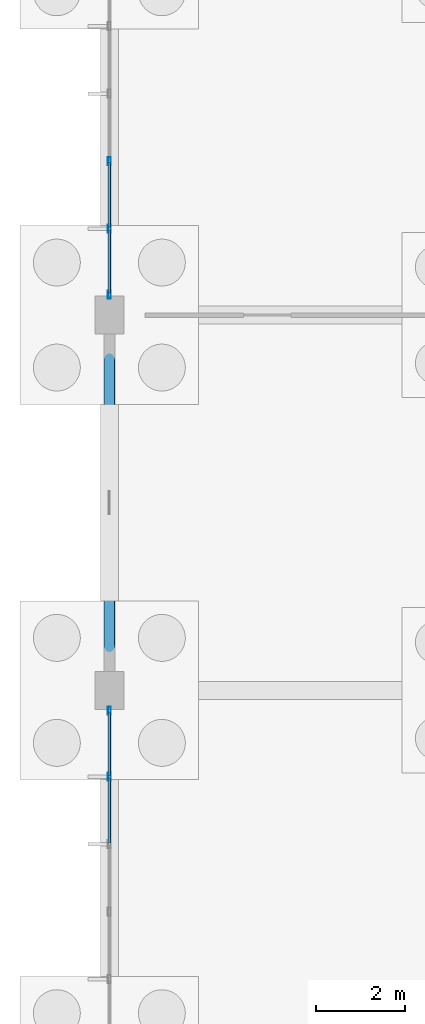
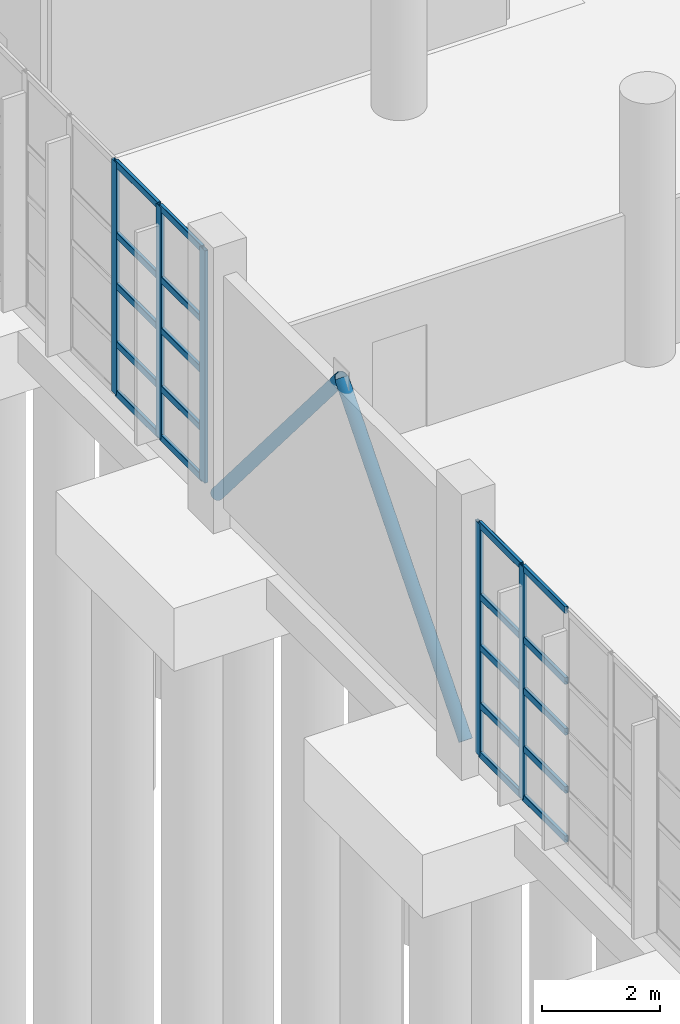
# One storey, part 26 of 83: 27 members, 2 elements without a shape of their own.
"""IFC4 building model written with IfcOpenShell, lengths in metres."""

from ifc_helpers import new_model, si_unit, direction, frame, origin, origin_2d, place, context, subcontext, project, spatial, hollow_rectangle, hollow_circle, extrude, material, layer, layer_set, material_profile, profile_set, type_object, element, aggregate, save


model = new_model("IFC4")

# Units and contexts
model_context = context("Model", 3, precision=1e-05, world=origin(), true_north=direction((0.0, 1.0)))
body_context = subcontext(model_context, "Body", "Model", "MODEL_VIEW")
ifc_project = project(units=[si_unit("LENGTHUNIT", "METRE"), si_unit("AREAUNIT", "SQUARE_METRE"), si_unit("VOLUMEUNIT", "CUBIC_METRE"), si_unit("PLANEANGLEUNIT", "RADIAN"), si_unit("MASSUNIT", "GRAM", prefix="KILO"), si_unit("THERMODYNAMICTEMPERATUREUNIT", "KELVIN"), si_unit("POWERUNIT", "WATT")], contexts=[model_context])

# Site, building, storey
site_placement = place(None, origin())
site = spatial("IfcSite", under=ifc_project, at=site_placement, CompositionType="ELEMENT")
building_placement = place(site_placement, origin())
building = spatial("IfcBuilding", under=site, at=building_placement, Name="Mavoryth Pier Ferry Terminal", CompositionType="ELEMENT")
storey_placement = place(building_placement, origin())
storey = spatial("IfcBuildingStorey", under=building, at=storey_placement, Name="L00", CompositionType="ELEMENT", Elevation=0.0)

# Members
ifc_material_1 = material(Name="Steel S355J2", Category="steel")
ifc_material_profile_1 = material_profile(ifc_material_1, hollow_circle(Radius=0.122314453125, WallThickness=0.012451171875, at=origin_2d()), Name="CHS 244.5x12.5", Category="steel")
ifc_profile_set_1 = profile_set([ifc_material_profile_1], Name="Steel S355J2 - CHS 244.5x12.5")
member_type_1 = type_object("IfcMemberType", Name="Brace-Diag-CHS245", PredefinedType="BRACE", material=ifc_profile_set_1)
for number, where, z_axis, x_axis, name in (
    (1, (0.0, 80.800048828125, 0.0), (0.0, 0.64773803869, 0.761863132875), (-1.0, 0.0, 0.0), "Steel Member MB-L00-0300"),
    (2, (0.0, 89.199951171875, 0.0), (0.0, -0.64773803869, 0.761863132875), (1.0, 0.0, 0.0), "Steel Member MB-L00-0301"),
):
    element("IfcMember", number, at=place(storey_placement, frame(where, z_axis=z_axis, x_axis=x_axis)), inside=storey, type_object=member_type_1, Name=name, PredefinedType="BRACE", context=body_context, shape_type="SweptSolid", body=[
        extrude(hollow_circle(Radius=0.122314453125, WallThickness=0.012451171875, at=origin_2d()), origin(), (0.0, 0.0, 1.0), 6.484130859375),
    ])

# Curtain wall, members
ifc_material_2 = material(Name="Anodised Aluminium and Solar-Control Low-E Glass", Category="aluminium")
ifc_layer = layer(ifc_material_2, 0.179931640625, Name="Anodised Aluminium and Solar-Control Low-E Glass", Category="aluminium")
ifc_layer_set = layer_set([ifc_layer], Name="Anodised Aluminium and Solar-Control Low-E Glass - CW-Concourse-Mod1400")
curtain_wall_type = type_object("IfcCurtainWallType", Name="CW-Concourse-Mod1400", PredefinedType="USERDEFINED", material=ifc_layer_set)
curtain_wall_1_placement = place(storey_placement, origin())
curtain_wall_1 = element("IfcCurtainWall", 3, at=curtain_wall_1_placement, inside=storey, type_object=curtain_wall_type, Name="Curtain Wall CW-0033-017", ObjectType="UNITISED CURTAIN WALL", PredefinedType="USERDEFINED")
ifc_material_3 = material(Name="Anodised Aluminium EN AW-6063", Category="aluminium")
ifc_material_profile_2 = material_profile(ifc_material_3, hollow_rectangle(XDim=0.06494140625, YDim=0.179931640625, WallThickness=0.00390625, InnerFilletRadius=0.00390625, OuterFilletRadius=0.008056640625, at=origin_2d()), Name="AL-MULL 180x65x4", Category="aluminium")
ifc_profile_set_2 = profile_set([ifc_material_profile_2], Name="Anodised Aluminium EN AW-6063 - AL-MULL 180x65x4")
member_type_2 = type_object("IfcMemberType", Name="Mullion-Alum-180x65", PredefinedType="MULLION", material=ifc_profile_set_2)
member_1_placement = place(storey_placement, frame((0.0, 80.342529296875, 0.0), z_axis=(0.0, 0.0, 1.0), x_axis=(1.0, 0.0, 0.0)))
member_1 = element("IfcMember", 4, at=member_1_placement, type_object=member_type_2, Name="CW01 mullion 1", PredefinedType="MULLION", context=body_context, shape_type="SweptSolid", body=[
    extrude(hollow_rectangle(XDim=0.06494140625, YDim=0.179931640625, WallThickness=0.00390625, InnerFilletRadius=0.00390625, OuterFilletRadius=0.008056640625, at=origin_2d()), origin(), (0.0, 0.0, 1.0), 4.794921875),
])
member_2_placement = place(storey_placement, frame((0.0, 78.864990234375, 0.0), z_axis=(0.0, 0.0, 1.0), x_axis=(1.0, 0.0, 0.0)))
member_2 = element("IfcMember", 5, at=member_2_placement, type_object=member_type_2, Name="CW01 mullion 2", PredefinedType="MULLION", context=body_context, shape_type="SweptSolid", body=[
    extrude(hollow_rectangle(XDim=0.06494140625, YDim=0.179931640625, WallThickness=0.00390625, InnerFilletRadius=0.00390625, OuterFilletRadius=0.008056640625, at=origin_2d()), origin(), (0.0, 0.0, 1.0), 4.794921875),
])

curtain_wall_2_placement = place(storey_placement, origin())
curtain_wall_2 = element("IfcCurtainWall", 6, at=curtain_wall_2_placement, inside=storey, type_object=curtain_wall_type, Name="Curtain Wall CW-0033-025", ObjectType="UNITISED CURTAIN WALL", PredefinedType="USERDEFINED")
member_3_placement = place(storey_placement, frame((0.0, 92.64501953125, 0.0), z_axis=(0.0, 0.0, 1.0), x_axis=(1.0, 0.0, 0.0)))
member_3 = element("IfcMember", 7, at=member_3_placement, type_object=member_type_2, Name="CW01 mullion 4", PredefinedType="MULLION", context=body_context, shape_type="SweptSolid", body=[
    extrude(hollow_rectangle(XDim=0.06494140625, YDim=0.179931640625, WallThickness=0.00390625, InnerFilletRadius=0.00390625, OuterFilletRadius=0.008056640625, at=origin_2d()), origin(), (0.0, 0.0, 1.0), 4.794921875),
])
member_4_placement = place(storey_placement, frame((0.0, 91.135009765625, 0.0), z_axis=(0.0, 0.0, 1.0), x_axis=(1.0, 0.0, 0.0)))
member_4 = element("IfcMember", 8, at=member_4_placement, type_object=member_type_2, Name="CW01 mullion 5", PredefinedType="MULLION", context=body_context, shape_type="SweptSolid", body=[
    extrude(hollow_rectangle(XDim=0.06494140625, YDim=0.179931640625, WallThickness=0.00390625, InnerFilletRadius=0.00390625, OuterFilletRadius=0.008056640625, at=origin_2d()), origin(), (0.0, 0.0, 1.0), 4.794921875),
])
member_5_placement = place(storey_placement, frame((0.0, 89.657470703125, 0.0), z_axis=(0.0, 0.0, 1.0), x_axis=(1.0, 0.0, 0.0)))
member_5 = element("IfcMember", 9, at=member_5_placement, type_object=member_type_2, Name="CW01 mullion 6", PredefinedType="MULLION", context=body_context, shape_type="SweptSolid", body=[
    extrude(hollow_rectangle(XDim=0.06494140625, YDim=0.179931640625, WallThickness=0.00390625, InnerFilletRadius=0.00390625, OuterFilletRadius=0.008056640625, at=origin_2d()), origin(), (0.0, 0.0, 1.0), 4.794921875),
])

# Member
ifc_material_profile_3 = material_profile(ifc_material_3, hollow_rectangle(XDim=0.06494140625, YDim=0.139892578125, WallThickness=0.00390625, InnerFilletRadius=0.00390625, OuterFilletRadius=0.008056640625, at=origin_2d()), Name="AL-TRAN 140x65x4", Category="aluminium")
ifc_profile_set_3 = profile_set([ifc_material_profile_3], Name="Anodised Aluminium EN AW-6063 - AL-TRAN 140x65x4")
member_type_3 = type_object("IfcMemberType", Name="Transom-Alum-140x65", PredefinedType="USERDEFINED", material=ifc_profile_set_3)
member_6_placement = place(storey_placement, frame((0.0, 80.31005859375, 0.032470703125), z_axis=(0.0, -1.0, 0.0), x_axis=(1.0, 0.0, 0.0)))
member_6 = element("IfcMember", 10, at=member_6_placement, type_object=member_type_3, Name="CW01 transom 1.1", ObjectType="TRANSOM", PredefinedType="USERDEFINED", context=body_context, shape_type="SweptSolid", body=[
    extrude(hollow_rectangle(XDim=0.06494140625, YDim=0.139892578125, WallThickness=0.00390625, InnerFilletRadius=0.00390625, OuterFilletRadius=0.008056640625, at=origin_2d()), origin(), (0.0, 0.0, 1.0), 1.41259765625),
])

member_7_placement = place(storey_placement, frame((0.0, 80.31005859375, 1.050048828125), z_axis=(0.0, -1.0, 0.0), x_axis=(1.0, 0.0, 0.0)))
member_7 = element("IfcMember", 11, at=member_7_placement, type_object=member_type_3, Name="CW01 transom 1.2", ObjectType="TRANSOM", PredefinedType="USERDEFINED", context=body_context, shape_type="SweptSolid", body=[
    extrude(hollow_rectangle(XDim=0.06494140625, YDim=0.139892578125, WallThickness=0.00390625, InnerFilletRadius=0.00390625, OuterFilletRadius=0.008056640625, at=origin_2d()), origin(), (0.0, 0.0, 1.0), 1.41259765625),
])

member_8_placement = place(storey_placement, frame((0.0, 80.31005859375, 2.25), z_axis=(0.0, -1.0, 0.0), x_axis=(1.0, 0.0, 0.0)))
member_8 = element("IfcMember", 12, at=member_8_placement, type_object=member_type_3, Name="CW01 transom 1.3", ObjectType="TRANSOM", PredefinedType="USERDEFINED", context=body_context, shape_type="SweptSolid", body=[
    extrude(hollow_rectangle(XDim=0.06494140625, YDim=0.139892578125, WallThickness=0.00390625, InnerFilletRadius=0.00390625, OuterFilletRadius=0.008056640625, at=origin_2d()), origin(), (0.0, 0.0, 1.0), 1.41259765625),
])

member_9_placement = place(storey_placement, frame((0.0, 80.31005859375, 3.300048828125), z_axis=(0.0, -1.0, 0.0), x_axis=(1.0, 0.0, 0.0)))
member_9 = element("IfcMember", 13, at=member_9_placement, type_object=member_type_3, Name="CW01 transom 1.4", ObjectType="TRANSOM", PredefinedType="USERDEFINED", context=body_context, shape_type="SweptSolid", body=[
    extrude(hollow_rectangle(XDim=0.06494140625, YDim=0.139892578125, WallThickness=0.00390625, InnerFilletRadius=0.00390625, OuterFilletRadius=0.008056640625, at=origin_2d()), origin(), (0.0, 0.0, 1.0), 1.41259765625),
])

member_10_placement = place(storey_placement, frame((0.0, 80.31005859375, 4.762451171875), z_axis=(0.0, -1.0, 0.0), x_axis=(1.0, 0.0, 0.0)))
member_10 = element("IfcMember", 14, at=member_10_placement, type_object=member_type_3, Name="CW01 transom 1.5", ObjectType="TRANSOM", PredefinedType="USERDEFINED", context=body_context, shape_type="SweptSolid", body=[
    extrude(hollow_rectangle(XDim=0.06494140625, YDim=0.139892578125, WallThickness=0.00390625, InnerFilletRadius=0.00390625, OuterFilletRadius=0.008056640625, at=origin_2d()), origin(), (0.0, 0.0, 1.0), 1.41259765625),
])

member_11_placement = place(storey_placement, frame((0.0, 78.83251953125, 0.032470703125), z_axis=(0.0, -1.0, 0.0), x_axis=(1.0, 0.0, 0.0)))
member_11 = element("IfcMember", 15, at=member_11_placement, type_object=member_type_3, Name="CW01 transom 2.1", ObjectType="TRANSOM", PredefinedType="USERDEFINED", context=body_context, shape_type="SweptSolid", body=[
    extrude(hollow_rectangle(XDim=0.06494140625, YDim=0.139892578125, WallThickness=0.00390625, InnerFilletRadius=0.00390625, OuterFilletRadius=0.008056640625, at=origin_2d()), origin(), (0.0, 0.0, 1.0), 1.445068359375),
])

member_12_placement = place(storey_placement, frame((0.0, 78.83251953125, 1.050048828125), z_axis=(0.0, -1.0, 0.0), x_axis=(1.0, 0.0, 0.0)))
member_12 = element("IfcMember", 16, at=member_12_placement, type_object=member_type_3, Name="CW01 transom 2.2", ObjectType="TRANSOM", PredefinedType="USERDEFINED", context=body_context, shape_type="SweptSolid", body=[
    extrude(hollow_rectangle(XDim=0.06494140625, YDim=0.139892578125, WallThickness=0.00390625, InnerFilletRadius=0.00390625, OuterFilletRadius=0.008056640625, at=origin_2d()), origin(), (0.0, 0.0, 1.0), 1.445068359375),
])

member_13_placement = place(storey_placement, frame((0.0, 78.83251953125, 2.25), z_axis=(0.0, -1.0, 0.0), x_axis=(1.0, 0.0, 0.0)))
member_13 = element("IfcMember", 17, at=member_13_placement, type_object=member_type_3, Name="CW01 transom 2.3", ObjectType="TRANSOM", PredefinedType="USERDEFINED", context=body_context, shape_type="SweptSolid", body=[
    extrude(hollow_rectangle(XDim=0.06494140625, YDim=0.139892578125, WallThickness=0.00390625, InnerFilletRadius=0.00390625, OuterFilletRadius=0.008056640625, at=origin_2d()), origin(), (0.0, 0.0, 1.0), 1.445068359375),
])

member_14_placement = place(storey_placement, frame((0.0, 78.83251953125, 3.300048828125), z_axis=(0.0, -1.0, 0.0), x_axis=(1.0, 0.0, 0.0)))
member_14 = element("IfcMember", 18, at=member_14_placement, type_object=member_type_3, Name="CW01 transom 2.4", ObjectType="TRANSOM", PredefinedType="USERDEFINED", context=body_context, shape_type="SweptSolid", body=[
    extrude(hollow_rectangle(XDim=0.06494140625, YDim=0.139892578125, WallThickness=0.00390625, InnerFilletRadius=0.00390625, OuterFilletRadius=0.008056640625, at=origin_2d()), origin(), (0.0, 0.0, 1.0), 1.445068359375),
])

member_15_placement = place(storey_placement, frame((0.0, 78.83251953125, 4.762451171875), z_axis=(0.0, -1.0, 0.0), x_axis=(1.0, 0.0, 0.0)))
member_15 = element("IfcMember", 19, at=member_15_placement, type_object=member_type_3, Name="CW01 transom 2.5", ObjectType="TRANSOM", PredefinedType="USERDEFINED", context=body_context, shape_type="SweptSolid", body=[
    extrude(hollow_rectangle(XDim=0.06494140625, YDim=0.139892578125, WallThickness=0.00390625, InnerFilletRadius=0.00390625, OuterFilletRadius=0.008056640625, at=origin_2d()), origin(), (0.0, 0.0, 1.0), 1.445068359375),
])

aggregate(curtain_wall_1, [member_1, member_2, member_6, member_7, member_8, member_9, member_10, member_11, member_12, member_13, member_14, member_15])

member_16_placement = place(storey_placement, frame((0.0, 92.612548828125, 0.032470703125), z_axis=(0.0, -1.0, 0.0), x_axis=(1.0, 0.0, 0.0)))
member_16 = element("IfcMember", 20, at=member_16_placement, type_object=member_type_3, Name="CW01 transom 4.1", ObjectType="TRANSOM", PredefinedType="USERDEFINED", context=body_context, shape_type="SweptSolid", body=[
    extrude(hollow_rectangle(XDim=0.06494140625, YDim=0.139892578125, WallThickness=0.00390625, InnerFilletRadius=0.00390625, OuterFilletRadius=0.008056640625, at=origin_2d()), origin(), (0.0, 0.0, 1.0), 1.445068359375),
])

member_17_placement = place(storey_placement, frame((0.0, 92.612548828125, 1.050048828125), z_axis=(0.0, -1.0, 0.0), x_axis=(1.0, 0.0, 0.0)))
member_17 = element("IfcMember", 21, at=member_17_placement, type_object=member_type_3, Name="CW01 transom 4.2", ObjectType="TRANSOM", PredefinedType="USERDEFINED", context=body_context, shape_type="SweptSolid", body=[
    extrude(hollow_rectangle(XDim=0.06494140625, YDim=0.139892578125, WallThickness=0.00390625, InnerFilletRadius=0.00390625, OuterFilletRadius=0.008056640625, at=origin_2d()), origin(), (0.0, 0.0, 1.0), 1.445068359375),
])

member_18_placement = place(storey_placement, frame((0.0, 92.612548828125, 2.25), z_axis=(0.0, -1.0, 0.0), x_axis=(1.0, 0.0, 0.0)))
member_18 = element("IfcMember", 22, at=member_18_placement, type_object=member_type_3, Name="CW01 transom 4.3", ObjectType="TRANSOM", PredefinedType="USERDEFINED", context=body_context, shape_type="SweptSolid", body=[
    extrude(hollow_rectangle(XDim=0.06494140625, YDim=0.139892578125, WallThickness=0.00390625, InnerFilletRadius=0.00390625, OuterFilletRadius=0.008056640625, at=origin_2d()), origin(), (0.0, 0.0, 1.0), 1.445068359375),
])

member_19_placement = place(storey_placement, frame((0.0, 92.612548828125, 3.300048828125), z_axis=(0.0, -1.0, 0.0), x_axis=(1.0, 0.0, 0.0)))
member_19 = element("IfcMember", 23, at=member_19_placement, type_object=member_type_3, Name="CW01 transom 4.4", ObjectType="TRANSOM", PredefinedType="USERDEFINED", context=body_context, shape_type="SweptSolid", body=[
    extrude(hollow_rectangle(XDim=0.06494140625, YDim=0.139892578125, WallThickness=0.00390625, InnerFilletRadius=0.00390625, OuterFilletRadius=0.008056640625, at=origin_2d()), origin(), (0.0, 0.0, 1.0), 1.445068359375),
])

member_20_placement = place(storey_placement, frame((0.0, 92.612548828125, 4.762451171875), z_axis=(0.0, -1.0, 0.0), x_axis=(1.0, 0.0, 0.0)))
member_20 = element("IfcMember", 24, at=member_20_placement, type_object=member_type_3, Name="CW01 transom 4.5", ObjectType="TRANSOM", PredefinedType="USERDEFINED", context=body_context, shape_type="SweptSolid", body=[
    extrude(hollow_rectangle(XDim=0.06494140625, YDim=0.139892578125, WallThickness=0.00390625, InnerFilletRadius=0.00390625, OuterFilletRadius=0.008056640625, at=origin_2d()), origin(), (0.0, 0.0, 1.0), 1.445068359375),
])

member_21_placement = place(storey_placement, frame((0.0, 91.1025390625, 0.032470703125), z_axis=(0.0, -1.0, 0.0), x_axis=(1.0, 0.0, 0.0)))
member_21 = element("IfcMember", 25, at=member_21_placement, type_object=member_type_3, Name="CW01 transom 5.1", ObjectType="TRANSOM", PredefinedType="USERDEFINED", context=body_context, shape_type="SweptSolid", body=[
    extrude(hollow_rectangle(XDim=0.06494140625, YDim=0.139892578125, WallThickness=0.00390625, InnerFilletRadius=0.00390625, OuterFilletRadius=0.008056640625, at=origin_2d()), origin(), (0.0, 0.0, 1.0), 1.41259765625),
])

member_22_placement = place(storey_placement, frame((0.0, 91.1025390625, 1.050048828125), z_axis=(0.0, -1.0, 0.0), x_axis=(1.0, 0.0, 0.0)))
member_22 = element("IfcMember", 26, at=member_22_placement, type_object=member_type_3, Name="CW01 transom 5.2", ObjectType="TRANSOM", PredefinedType="USERDEFINED", context=body_context, shape_type="SweptSolid", body=[
    extrude(hollow_rectangle(XDim=0.06494140625, YDim=0.139892578125, WallThickness=0.00390625, InnerFilletRadius=0.00390625, OuterFilletRadius=0.008056640625, at=origin_2d()), origin(), (0.0, 0.0, 1.0), 1.41259765625),
])

member_23_placement = place(storey_placement, frame((0.0, 91.1025390625, 2.25), z_axis=(0.0, -1.0, 0.0), x_axis=(1.0, 0.0, 0.0)))
member_23 = element("IfcMember", 27, at=member_23_placement, type_object=member_type_3, Name="CW01 transom 5.3", ObjectType="TRANSOM", PredefinedType="USERDEFINED", context=body_context, shape_type="SweptSolid", body=[
    extrude(hollow_rectangle(XDim=0.06494140625, YDim=0.139892578125, WallThickness=0.00390625, InnerFilletRadius=0.00390625, OuterFilletRadius=0.008056640625, at=origin_2d()), origin(), (0.0, 0.0, 1.0), 1.41259765625),
])

member_24_placement = place(storey_placement, frame((0.0, 91.1025390625, 3.300048828125), z_axis=(0.0, -1.0, 0.0), x_axis=(1.0, 0.0, 0.0)))
member_24 = element("IfcMember", 28, at=member_24_placement, type_object=member_type_3, Name="CW01 transom 5.4", ObjectType="TRANSOM", PredefinedType="USERDEFINED", context=body_context, shape_type="SweptSolid", body=[
    extrude(hollow_rectangle(XDim=0.06494140625, YDim=0.139892578125, WallThickness=0.00390625, InnerFilletRadius=0.00390625, OuterFilletRadius=0.008056640625, at=origin_2d()), origin(), (0.0, 0.0, 1.0), 1.41259765625),
])

member_25_placement = place(storey_placement, frame((0.0, 91.1025390625, 4.762451171875), z_axis=(0.0, -1.0, 0.0), x_axis=(1.0, 0.0, 0.0)))
member_25 = element("IfcMember", 29, at=member_25_placement, type_object=member_type_3, Name="CW01 transom 5.5", ObjectType="TRANSOM", PredefinedType="USERDEFINED", context=body_context, shape_type="SweptSolid", body=[
    extrude(hollow_rectangle(XDim=0.06494140625, YDim=0.139892578125, WallThickness=0.00390625, InnerFilletRadius=0.00390625, OuterFilletRadius=0.008056640625, at=origin_2d()), origin(), (0.0, 0.0, 1.0), 1.41259765625),
])

aggregate(curtain_wall_2, [member_3, member_4, member_5, member_16, member_17, member_18, member_19, member_20, member_21, member_22, member_23, member_24, member_25])

save(model, "model.ifc")
